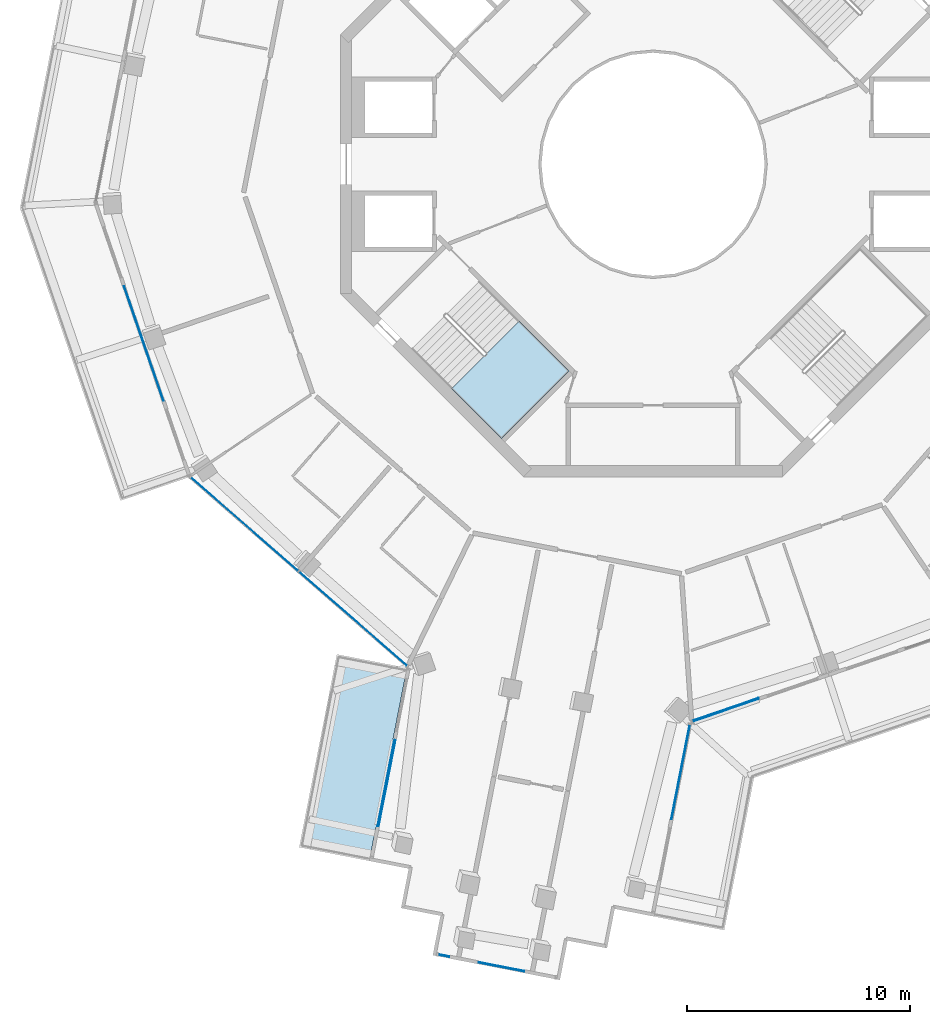
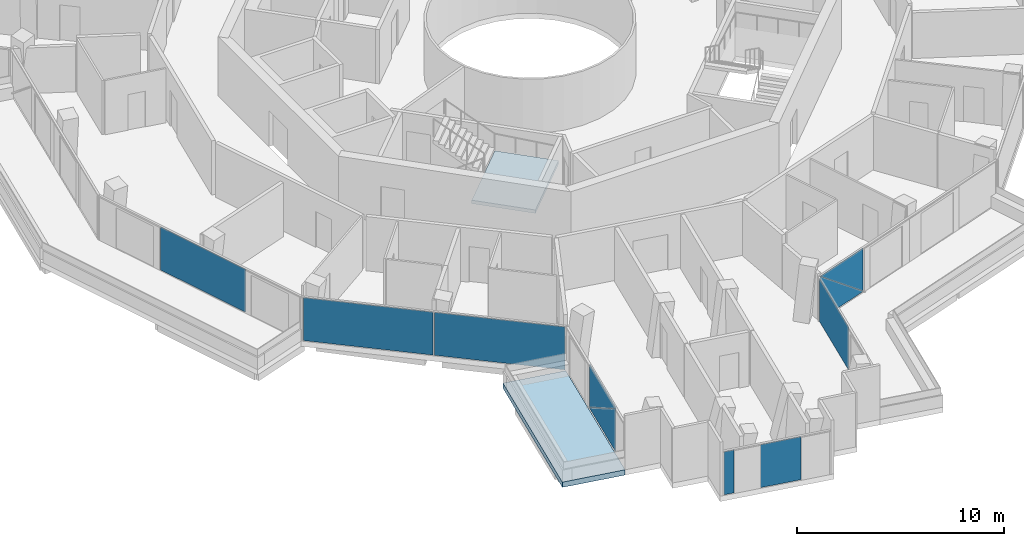
# One storey, part 10 of 22: 10 plates, 2 slabs, 7 elements without a shape of their own.
"""IFC4 building model written with IfcOpenShell, lengths in metres."""

from ifc_helpers import new_model, si_unit, direction, frame, origin, origin_2d, place, context, subcontext, project, spatial, polyline, rectangle, outline, extrude, material, layer, layer_set, type_object, element, aggregate, save


model = new_model("IFC4")

# Units and contexts
model_context = context("Model", 3, precision=1e-05, world=origin(), true_north=direction((0.0, 1.0)))
body_context = subcontext(model_context, "Body", "Model", "MODEL_VIEW")
ifc_project = project(units=[si_unit("LENGTHUNIT", "METRE"), si_unit("AREAUNIT", "SQUARE_METRE"), si_unit("VOLUMEUNIT", "CUBIC_METRE"), si_unit("PLANEANGLEUNIT", "RADIAN"), si_unit("MASSUNIT", "GRAM", prefix="KILO")], contexts=[model_context])

# Site, building, storey
site_placement = place(None, origin())
site = spatial("IfcSite", under=ifc_project, at=site_placement, CompositionType="ELEMENT")
building_placement = place(site_placement, origin())
building = spatial("IfcBuilding", under=site, at=building_placement, Name="Verdalira Terraces Hotel", CompositionType="ELEMENT")
storey_placement = place(building_placement, frame((0.0, 0.0, 234.0)))
storey = spatial("IfcBuildingStorey", under=building, at=storey_placement, Name="L57", CompositionType="ELEMENT", Elevation=234.0)

# Slab
ifc_material_1 = material(Name="Precast concrete C40/50", Category="concrete")
ifc_layer_1 = layer(ifc_material_1, 0.31005859375)
ifc_layer_set_1 = layer_set([ifc_layer_1], Name="Balcony deck 310")
slab_type_1 = type_object("IfcSlabType", Name="Balcony deck 310", PredefinedType="FLOOR", material=ifc_layer_set_1)
slab_1_placement = place(storey_placement, frame((0.0, 0.0, -0.310059)))
element("IfcSlab", 1, at=slab_1_placement, inside=storey, type_object=slab_type_1, Name="Balcony deck", PredefinedType="FLOOR", context=body_context, shape_type="SweptSolid", body=[
    extrude(outline(polyline([(-15.852295, -30.595459), (-12.711426, -31.208252), (-11.025146, -22.564697), (-14.165771, -21.951904), (-15.852295, -30.595459)])), origin(), (0.0, 0.0, 1.0), 0.310059),
])

# Curtain wall, plate
ifc_material_2 = material(Name="Clear glass", Category="glass")
ifc_layer_2 = layer(ifc_material_2, 0.14990234375)
ifc_layer_set_2 = layer_set([ifc_layer_2], Name="CW1 curtain wall")
curtain_wall_type_1 = type_object("IfcCurtainWallType", Name="CW1 curtain wall", PredefinedType="NOTDEFINED", material=ifc_layer_set_2)
curtain_wall_1_placement = place(storey_placement, origin())
curtain_wall_1 = element("IfcCurtainWall", 2, at=curtain_wall_1_placement, inside=storey, type_object=curtain_wall_type_1, Name="CW1 curtain wall L57 edge 12", PredefinedType="NOTDEFINED")
ifc_material_3 = material(Name="Clear glass", Category="glass")
ifc_layer_3 = layer(ifc_material_3, 0.028076171875)
ifc_layer_set_3 = layer_set([ifc_layer_3], Name="CW1 glass unit 28")
plate_type_1 = type_object("IfcPlateType", Name="CW1 glass unit 28", PredefinedType="CURTAIN_PANEL", material=ifc_layer_set_3)
plate_1_placement = place(storey_placement, frame((-22.812988, -8.0271, 0.0), z_axis=(0.0, 0.0, 1.0), x_axis=(0.324907979, -0.945745635, 0.0)))
plate_1 = element("IfcPlate", 3, at=plate_1_placement, type_object=plate_type_1, Name="CW1 glass unit", PredefinedType="CURTAIN_PANEL", context=body_context, shape_type="SweptSolid", body=[
    extrude(rectangle(XDim=5.432373, YDim=0.028076, at=origin_2d()), origin(), (0.0, 0.0, 1.0), 2.524902),
])
aggregate(curtain_wall_1, [plate_1])

# Curtain wall, plates
curtain_wall_2_placement = place(storey_placement, origin())
curtain_wall_2 = element("IfcCurtainWall", 4, at=curtain_wall_2_placement, inside=storey, type_object=curtain_wall_type_1, Name="CW1 curtain wall L57 edge 13", PredefinedType="NOTDEFINED")
plate_2_placement = place(storey_placement, frame((-18.303223, -16.129395, 0.0), z_axis=(0.0, 0.0, 1.0), x_axis=(0.754251381, -0.656585756, 0.0)))
plate_2 = element("IfcPlate", 5, at=plate_2_placement, type_object=plate_type_1, Name="CW1 glass unit", PredefinedType="CURTAIN_PANEL", context=body_context, shape_type="SweptSolid", body=[
    extrude(rectangle(XDim=6.369873, YDim=0.028076, at=origin_2d()), origin(), (0.0, 0.0, 1.0), 2.524902),
])
plate_3_placement = place(storey_placement, frame((-13.438477, -20.364258, 0.0), z_axis=(0.0, 0.0, 1.0), x_axis=(0.754251381, -0.656585756, 0.0)))
plate_3 = element("IfcPlate", 6, at=plate_3_placement, type_object=plate_type_1, Name="CW1 glass unit", PredefinedType="CURTAIN_PANEL", context=body_context, shape_type="SweptSolid", body=[
    extrude(rectangle(XDim=6.409912, YDim=0.028076, at=origin_2d()), origin(), (0.0, 0.0, 1.0), 2.524902),
])
aggregate(curtain_wall_2, [plate_2, plate_3])

curtain_wall_3_placement = place(storey_placement, origin())
curtain_wall_3 = element("IfcCurtainWall", 7, at=curtain_wall_3_placement, inside=storey, type_object=curtain_wall_type_1, Name="CW1 curtain wall L57 edge 25", PredefinedType="NOTDEFINED")
plate_4_placement = place(storey_placement, frame((3.246826, -24.44043, 1.262451), z_axis=(0.324907979, -0.945745635, 0.0), x_axis=(0.945745635, 0.324907979, 0.0)))
plate_4 = element("IfcPlate", 8, at=plate_4_placement, type_object=plate_type_1, Name="CW1 glass unit", PredefinedType="CURTAIN_PANEL", context=body_context, shape_type="SweptSolid", body=[
    extrude(outline(polyline([(-1.569824, -1.262451), (1.569824, -1.262451), (-1.569824, 1.262451), (-1.569824, -1.262451)])), origin(), (0.0, 0.0, 1.0), 0.028076),
])
plate_5_placement = place(storey_placement, frame((3.237549, -24.412842, 1.262451), z_axis=(0.324907979, -0.945745635, 0.0), x_axis=(0.945745635, 0.324907979, 0.0)))
plate_5 = element("IfcPlate", 9, at=plate_5_placement, type_object=plate_type_1, Name="CW1 glass unit", PredefinedType="CURTAIN_PANEL", context=body_context, shape_type="SweptSolid", body=[
    extrude(outline(polyline([(1.569824, -1.262451), (1.569824, 1.262451), (-1.569824, 1.262451), (1.569824, -1.262451)])), origin(), (0.0, 0.0, 1.0), 0.028076),
])
aggregate(curtain_wall_3, [plate_4, plate_5])

ifc_material_4 = material(Name="Clear glass", Category="glass")
ifc_layer_4 = layer(ifc_material_4, 0.14990234375)
ifc_layer_set_4 = layer_set([ifc_layer_4], Name="CW2 curtain wall")
curtain_wall_type_2 = type_object("IfcCurtainWallType", Name="CW2 curtain wall", PredefinedType="NOTDEFINED", material=ifc_layer_set_4)
curtain_wall_4_placement = place(storey_placement, origin())
curtain_wall_4 = element("IfcCurtainWall", 10, at=curtain_wall_4_placement, inside=storey, type_object=curtain_wall_type_2, Name="CW2 curtain wall L57 edge 14", PredefinedType="NOTDEFINED")
ifc_material_5 = material(Name="Clear glass", Category="glass")
ifc_layer_5 = layer(ifc_material_5, 0.031982421875)
ifc_layer_set_5 = layer_set([ifc_layer_5], Name="CW2 glass unit 32")
plate_type_2 = type_object("IfcPlateType", Name="CW2 glass unit 32", PredefinedType="CURTAIN_PANEL", material=ifc_layer_set_5)
plate_6_placement = place(storey_placement, frame((-11.938965, -27.723633, 1.262451), z_axis=(-0.981493734, 0.191494254, 0.0), x_axis=(-0.191494254, -0.981493734, 0.0)))
plate_6 = element("IfcPlate", 11, at=plate_6_placement, type_object=plate_type_2, Name="CW2 glass unit", PredefinedType="CURTAIN_PANEL", context=body_context, shape_type="SweptSolid", body=[
    extrude(outline(polyline([(-1.968262, -1.262451), (1.968262, -1.262451), (1.968262, 1.262451), (-1.968262, -1.262451)])), origin(), (0.0, 0.0, 1.0), 0.031982),
])
plate_7_placement = place(storey_placement, frame((-11.906494, -27.729736, 1.262451), z_axis=(-0.981493734, 0.191494254, 0.0), x_axis=(-0.191494254, -0.981493734, 0.0)))
plate_7 = element("IfcPlate", 12, at=plate_7_placement, type_object=plate_type_2, Name="CW2 glass unit", PredefinedType="CURTAIN_PANEL", context=body_context, shape_type="SweptSolid", body=[
    extrude(outline(polyline([(-1.968262, -1.262451), (1.968262, 1.262451), (-1.968262, 1.262451), (-1.968262, -1.262451)])), origin(), (0.0, 0.0, 1.0), 0.031982),
])
aggregate(curtain_wall_4, [plate_6, plate_7])

# Curtain wall, plate
curtain_wall_5_placement = place(storey_placement, origin())
curtain_wall_5 = element("IfcCurtainWall", 13, at=curtain_wall_5_placement, inside=storey, type_object=curtain_wall_type_2, Name="CW2 curtain wall L57 edge 24", PredefinedType="NOTDEFINED")
plate_8_placement = place(storey_placement, frame((1.235107, -27.221924, 0.0), z_axis=(0.0, 0.0, 1.0), x_axis=(0.191494254, 0.981493734, 0.0)))
plate_8 = element("IfcPlate", 14, at=plate_8_placement, type_object=plate_type_2, Name="CW2 glass unit", PredefinedType="CURTAIN_PANEL", context=body_context, shape_type="SweptSolid", body=[
    extrude(rectangle(XDim=4.306641, YDim=0.031982, at=origin_2d()), origin(), (0.0, 0.0, 1.0), 2.524902),
])
aggregate(curtain_wall_5, [plate_8])

# Curtain wall, plates
ifc_material_6 = material(Name="Clear glass", Category="glass")
ifc_layer_6 = layer(ifc_material_6, 0.14990234375)
ifc_layer_set_6 = layer_set([ifc_layer_6], Name="CW3 curtain wall")
curtain_wall_type_3 = type_object("IfcCurtainWallType", Name="CW3 curtain wall", PredefinedType="NOTDEFINED", material=ifc_layer_set_6)
curtain_wall_6_placement = place(storey_placement, origin())
curtain_wall_6 = element("IfcCurtainWall", 15, at=curtain_wall_6_placement, inside=storey, type_object=curtain_wall_type_3, Name="CW3 curtain wall L57 edge 19", PredefinedType="NOTDEFINED")
ifc_material_7 = material(Name="Clear glass", Category="glass")
ifc_layer_7 = layer(ifc_material_7, 0.035888671875)
ifc_layer_set_7 = layer_set([ifc_layer_7], Name="CW3 glass unit 36")
plate_type_3 = type_object("IfcPlateType", Name="CW3 glass unit 36", PredefinedType="CURTAIN_PANEL", material=ifc_layer_set_7)
plate_9_placement = place(storey_placement, frame((-9.376953, -35.450195, 0.0), z_axis=(0.0, 0.0, 1.0), x_axis=(0.981493734, -0.191494254, 0.0)))
plate_9 = element("IfcPlate", 16, at=plate_9_placement, type_object=plate_type_3, Name="CW3 glass unit", PredefinedType="CURTAIN_PANEL", context=body_context, shape_type="SweptSolid", body=[
    extrude(rectangle(XDim=0.51001, YDim=0.035889, at=origin_2d()), origin(), (0.0, 0.0, 1.0), 2.524902),
])
plate_10_placement = place(storey_placement, frame((-6.785645, -35.955811, 0.0), z_axis=(0.0, 0.0, 1.0), x_axis=(0.981493734, -0.191494254, 0.0)))
plate_10 = element("IfcPlate", 17, at=plate_10_placement, type_object=plate_type_3, Name="CW3 glass unit", PredefinedType="CURTAIN_PANEL", context=body_context, shape_type="SweptSolid", body=[
    extrude(rectangle(XDim=2.069092, YDim=0.035889, at=origin_2d()), origin(), (0.0, 0.0, 1.0), 2.524902),
])
aggregate(curtain_wall_6, [plate_9, plate_10])

# Stair, slab
ifc_material_8 = material(Name="Concrete C40", Category="concrete")
stair_type = type_object("IfcStairType", Name="Core stair 20 risers 2100 mm wide", PredefinedType="HALF_TURN_STAIR", material=ifc_material_8)
stair_placement = place(storey_placement, origin())
stair = element("IfcStair", 18, at=stair_placement, inside=storey, type_object=stair_type, Name="L57 Exit stair ST2", PredefinedType="HALF_TURN_STAIR")
ifc_material_9 = material(Name="Concrete C40", Category="concrete")
ifc_layer_8 = layer(ifc_material_9, 0.199951171875)
ifc_layer_set_8 = layer_set([ifc_layer_8], Name="Core stair landing 200 mm")
slab_type_2 = type_object("IfcSlabType", Name="Core stair landing 200 mm", PredefinedType="LANDING", material=ifc_layer_set_8)
slab_2_placement = place(storey_placement, frame((0.0, 0.0, 1.550049)))
slab_2 = element("IfcSlab", 19, at=slab_2_placement, type_object=slab_type_2, Name="ST2 landing 1", PredefinedType="LANDING", context=body_context, shape_type="SweptSolid", body=[
    extrude(outline(polyline([(-9.037109, -10.054688), (-6.78833, -12.303711), (-3.747559, -9.263184), (-5.996582, -7.01416), (-9.037109, -10.054688)])), origin(), (0.0, 0.0, 1.0), 0.199951),
])
aggregate(stair, [slab_2])

save(model, "model.ifc")
